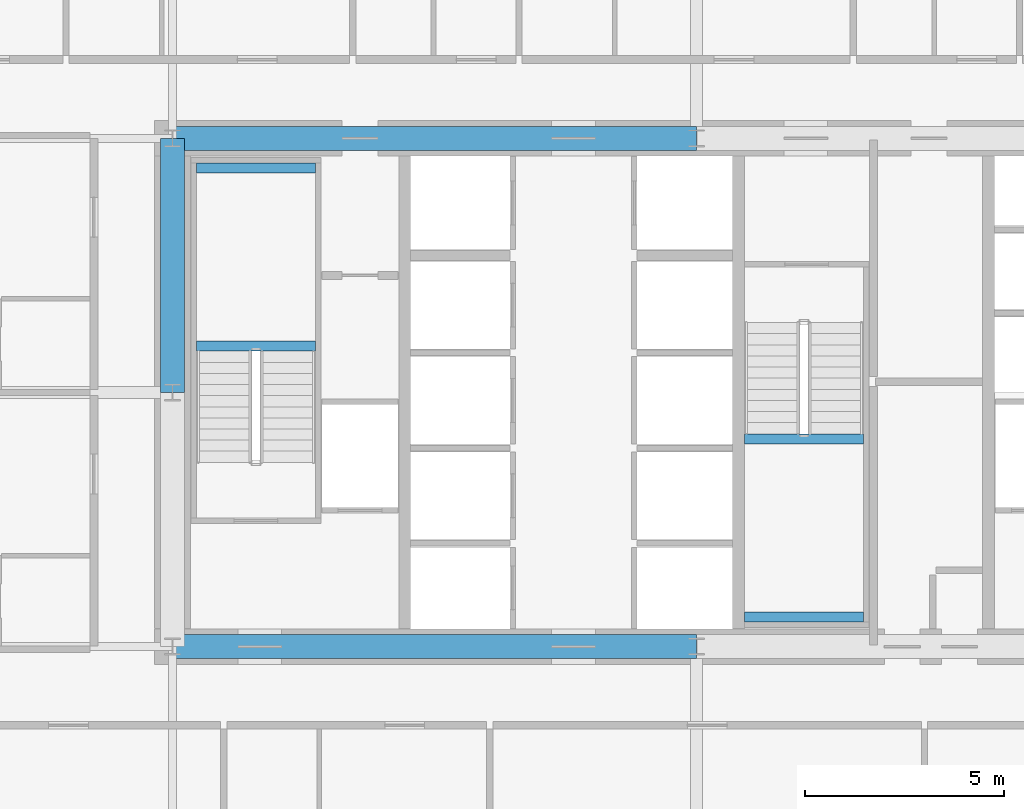
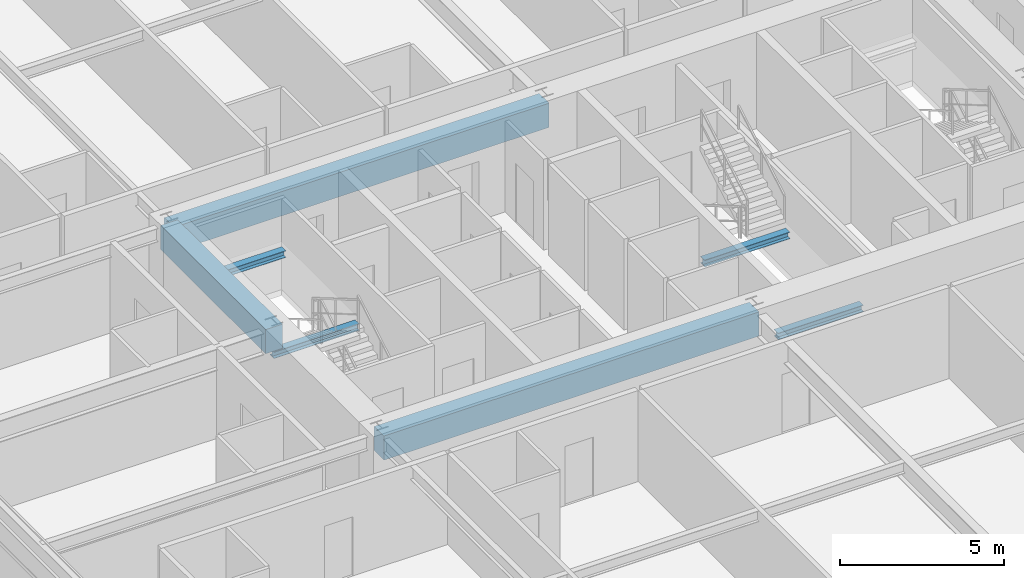
# One storey, part 12 of 43: 7 beams.
"""IFC4 building model written with IfcOpenShell, lengths in metres."""

from ifc_helpers import new_model, si_unit, direction, frame, origin, origin_2d, place, context, subcontext, project, spatial, rectangle, i_section, extrude, source, transform, mapped, material, material_profile, profile_set, type_object, element, save


model = new_model("IFC4")

# Units and contexts
model_context = context("Model", 3, precision=1e-05, world=origin(), true_north=direction((0.0, 1.0)))
body_context = subcontext(model_context, "Body", "Model", "MODEL_VIEW")
ifc_project = project(units=[si_unit("LENGTHUNIT", "METRE"), si_unit("AREAUNIT", "SQUARE_METRE"), si_unit("VOLUMEUNIT", "CUBIC_METRE"), si_unit("PLANEANGLEUNIT", "RADIAN"), si_unit("MASSUNIT", "GRAM", prefix="KILO"), si_unit("THERMODYNAMICTEMPERATUREUNIT", "KELVIN"), si_unit("POWERUNIT", "WATT")], contexts=[model_context])

# Site, building, storey
site_placement = place(None, origin())
site = spatial("IfcSite", under=ifc_project, at=site_placement, CompositionType="ELEMENT")
building_placement = place(site_placement, origin())
building = spatial("IfcBuilding", under=site, at=building_placement, Name="Yuzanri Waterfront Tower", CompositionType="ELEMENT")
storey_placement = place(building_placement, frame((0.0, 0.0, 53.199951171875)))
storey = spatial("IfcBuildingStorey", under=building, at=storey_placement, Name="L13", CompositionType="ELEMENT", Elevation=53.199951171875)

# Beams
ifc_material_1 = material(Name="Concrete C60", Category="concrete")
ifc_material_profile_1 = material_profile(ifc_material_1, rectangle(XDim=0.60009765625, YDim=0.89990234375, at=origin_2d()), Name="RC 600x900")
ifc_profile_set_1 = profile_set([ifc_material_profile_1], Name="Concrete C60")
beam_type_1 = type_object("IfcBeamType", Name="Core Coupling Lintel Concrete C60 600x900", PredefinedType="LINTEL", material=ifc_profile_set_1)
shared_shape_1 = source(origin(), body_context, "Body", "SweptSolid", [
    extrude(rectangle(XDim=0.60009765625, YDim=0.89990234375, at=origin_2d()), origin(), (0.0, 0.0, 1.0), 13.199951171875),
])
for number, where, z_axis, x_axis, name in (
    (1, (23.800048828125, 19.39990234375, 2.929931640625), (1.0, 0.0, 0.0), (0.0, 1.0, 0.0), "L13 Core Tie Beam CS1"),
    (2, (23.800048828125, 32.199951171875, 2.929931640625), (1.0, 0.0, 0.0), (0.0, 1.0, 0.0), "L13 Core Tie Beam CN1"),
):
    element("IfcBeam", number, at=place(storey_placement, frame(where, z_axis=z_axis, x_axis=x_axis)), inside=storey, type_object=beam_type_1, Name=name, PredefinedType="LINTEL", context=body_context, shape_type="MappedRepresentation", body=[
        mapped(shared_shape_1, transform((0.0, 0.0, 0.0), scale=1.0)),
    ])
shared_shape_2 = source(origin(), body_context, "Body", "SweptSolid", [
    extrude(rectangle(XDim=0.60009765625, YDim=0.89990234375, at=origin_2d()), origin(), (0.0, 0.0, 1.0), 6.39990234375),
])
beam_placement = place(storey_placement, frame((23.800048828125, 25.800048828125, 2.929931640625), z_axis=(0.0, 1.0, 0.0), x_axis=(-1.0, 0.0, 0.0)))
element("IfcBeam", 3, at=beam_placement, inside=storey, type_object=beam_type_1, Name="L13 Core Tie Beam CW2", PredefinedType="LINTEL", context=body_context, shape_type="MappedRepresentation", body=[
    mapped(shared_shape_2, transform((0.0, 0.0, 0.0), scale=1.0)),
])
ifc_material_2 = material(Name="Steel Q355B", Category="steel")
ifc_material_profile_2 = material_profile(ifc_material_2, i_section(OverallWidth=0.25, OverallDepth=0.25, WebThickness=0.009033203125, FlangeThickness=0.013916015625, at=origin_2d()), Name="HW 250x250x9x14")
ifc_profile_set_2 = profile_set([ifc_material_profile_2], Name="Steel Q355B")
beam_type_2 = type_object("IfcBeamType", Name="Stair Landing Support Beam Q355B HW 250x250", PredefinedType="BEAM", material=ifc_profile_set_2)
shared_shape_3 = source(origin(), body_context, "Body", "SweptSolid", [
    extrude(i_section(OverallWidth=0.25, OverallDepth=0.25, WebThickness=0.009033203125, FlangeThickness=0.013916015625, at=origin_2d()), origin(), (0.0, 0.0, 1.0), 3.0),
])
for number, where, z_axis, x_axis, name in (
    (4, (24.39990234375, 26.969970703125, 1.47509765625), (1.0, 0.0, 0.0), (0.0, 1.0, 0.0), "L13 Stair Landing Support Beam ST-01-L13-L1-1"),
    (5, (24.39990234375, 31.449951171875, 1.47509765625), (1.0, 0.0, 0.0), (0.0, 1.0, 0.0), "L13 Stair Landing Support Beam ST-01-L13-L1-2"),
    (6, (38.199951171875, 20.14990234375, 1.47509765625), (1.0, 0.0, 0.0), (0.0, 1.0, 0.0), "L13 Stair Landing Support Beam ST-03-L13-L1-1"),
    (7, (38.199951171875, 24.6298828125, 1.47509765625), (1.0, 0.0, 0.0), (0.0, 1.0, 0.0), "L13 Stair Landing Support Beam ST-03-L13-L1-2"),
):
    element("IfcBeam", number, at=place(storey_placement, frame(where, z_axis=z_axis, x_axis=x_axis)), inside=storey, type_object=beam_type_2, Name=name, PredefinedType="BEAM", context=body_context, shape_type="MappedRepresentation", body=[
        mapped(shared_shape_3, transform((0.0, 0.0, 0.0), scale=1.0)),
    ])

save(model, "model.ifc")
